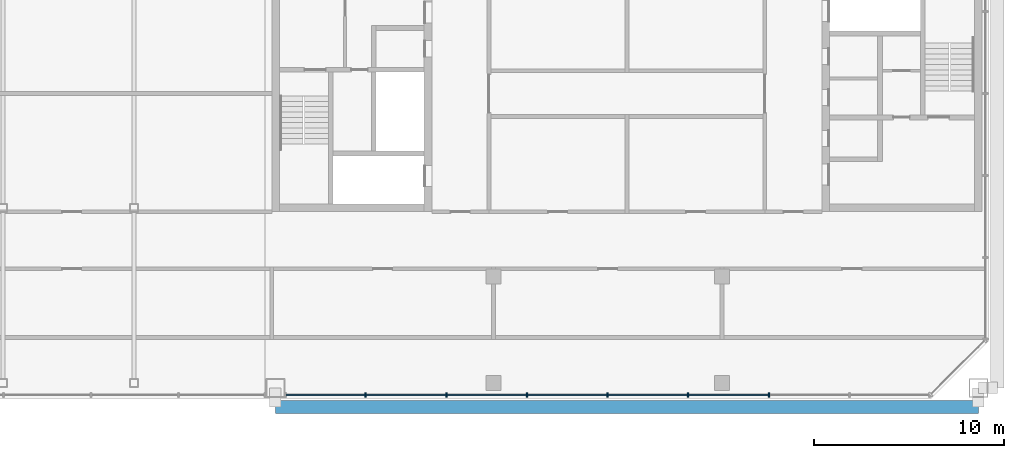
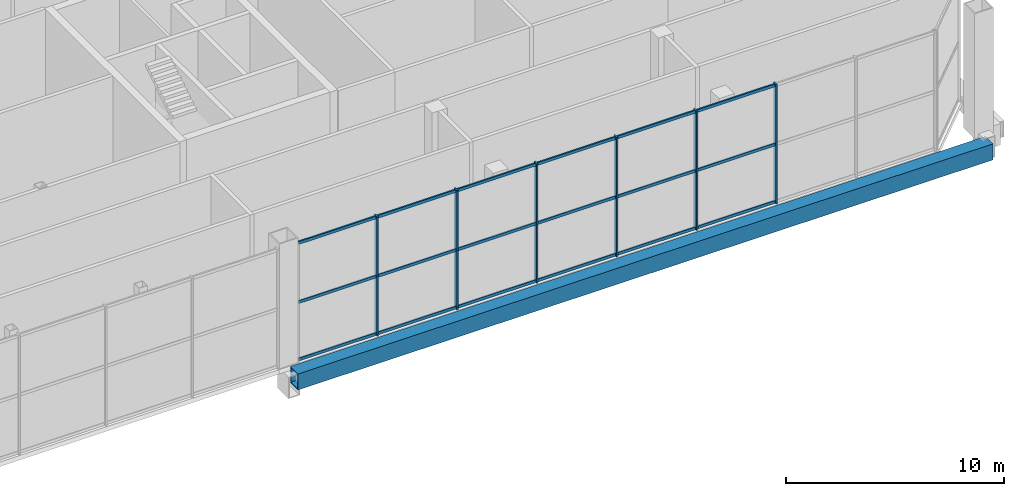
# One storey, part 10 of 27: 24 members, 1 beam, 1 element without a shape of its own.
"""IFC4 building model written with IfcOpenShell, lengths in metres."""

from ifc_helpers import new_model, si_unit, direction, frame, origin, origin_2d, place, context, subcontext, project, spatial, rectangle, hollow_rectangle, extrude, material, material_profile, profile_set, type_object, element, aggregate, save


model = new_model("IFC4")

# Units and contexts
model_context = context("Model", 3, precision=1e-05, world=origin(), true_north=direction((0.0, 1.0)))
body_context = subcontext(model_context, "Body", "Model", "MODEL_VIEW")
ifc_project = project(units=[si_unit("LENGTHUNIT", "METRE"), si_unit("AREAUNIT", "SQUARE_METRE"), si_unit("VOLUMEUNIT", "CUBIC_METRE"), si_unit("PLANEANGLEUNIT", "RADIAN"), si_unit("MASSUNIT", "GRAM", prefix="KILO")], contexts=[model_context])

# Site, building, storey
site_placement = place(None, origin())
site = spatial("IfcSite", under=ifc_project, at=site_placement, CompositionType="ELEMENT")
building_placement = place(site_placement, origin())
building = spatial("IfcBuilding", under=site, at=building_placement, Name="Tuart Gate Housing", CompositionType="ELEMENT")
storey_placement = place(building_placement, frame((0.0, 0.0, 236.89990234375)))
storey = spatial("IfcBuildingStorey", under=building, at=storey_placement, Name="L67", CompositionType="ELEMENT", Elevation=236.89990234375)

# Curtain wall, members
ifc_material_1 = material(Name="Aluminium and clear glass", Category="aluminium")
curtain_wall_type = type_object("IfcCurtainWallType", Name="Damper floor glazing", PredefinedType="USERDEFINED", material=ifc_material_1)
curtain_wall_placement = place(storey_placement, origin())
curtain_wall = element("IfcCurtainWall", 1, at=curtain_wall_placement, inside=storey, type_object=curtain_wall_type, Name="Damper floor glazing BLK-S L67", ObjectType="DAMPER FLOOR GLAZING", PredefinedType="USERDEFINED")
ifc_material_2 = material(Name="Anodised aluminium", Category="aluminium")
ifc_material_profile_1 = material_profile(ifc_material_2, rectangle(XDim=0.080078125, YDim=0.25, at=origin_2d()), Name="80x250")
ifc_profile_set_1 = profile_set([ifc_material_profile_1], Name="Anodised aluminium")
member_type_1 = type_object("IfcMemberType", Name="Mullion 80 x 250", PredefinedType="MULLION", material=ifc_profile_set_1)
member_1_placement = place(storey_placement, frame((136.284423828125, 54.179931640625, 0.0), z_axis=(0.0, 0.0, 1.0), x_axis=(1.0, 0.0, 0.0)))
member_1 = element("IfcMember", 2, at=member_1_placement, type_object=member_type_1, Name="CW5 mullion 2", PredefinedType="MULLION", context=body_context, shape_type="SweptSolid", body=[
    extrude(rectangle(XDim=0.080078125, YDim=0.25, at=origin_2d()), origin(), (0.0, 0.0, 1.0), 6.7001953125),
])
member_2_placement = place(storey_placement, frame((140.518798828125, 54.179931640625, 0.0), z_axis=(0.0, 0.0, 1.0), x_axis=(1.0, 0.0, 0.0)))
member_2 = element("IfcMember", 3, at=member_2_placement, type_object=member_type_1, Name="CW5 mullion 3", PredefinedType="MULLION", context=body_context, shape_type="SweptSolid", body=[
    extrude(rectangle(XDim=0.080078125, YDim=0.25, at=origin_2d()), origin(), (0.0, 0.0, 1.0), 6.7001953125),
])
member_3_placement = place(storey_placement, frame((144.75341796875, 54.179931640625, 0.0), z_axis=(0.0, 0.0, 1.0), x_axis=(1.0, 0.0, 0.0)))
member_3 = element("IfcMember", 4, at=member_3_placement, type_object=member_type_1, Name="CW5 mullion 4", PredefinedType="MULLION", context=body_context, shape_type="SweptSolid", body=[
    extrude(rectangle(XDim=0.080078125, YDim=0.25, at=origin_2d()), origin(), (0.0, 0.0, 1.0), 6.7001953125),
])
member_4_placement = place(storey_placement, frame((148.98779296875, 54.179931640625, 0.0), z_axis=(0.0, 0.0, 1.0), x_axis=(1.0, 0.0, 0.0)))
member_4 = element("IfcMember", 5, at=member_4_placement, type_object=member_type_1, Name="CW5 mullion 5", PredefinedType="MULLION", context=body_context, shape_type="SweptSolid", body=[
    extrude(rectangle(XDim=0.080078125, YDim=0.25, at=origin_2d()), origin(), (0.0, 0.0, 1.0), 6.7001953125),
])
member_5_placement = place(storey_placement, frame((153.22216796875, 54.179931640625, 0.0), z_axis=(0.0, 0.0, 1.0), x_axis=(1.0, 0.0, 0.0)))
member_5 = element("IfcMember", 6, at=member_5_placement, type_object=member_type_1, Name="CW5 mullion 6", PredefinedType="MULLION", context=body_context, shape_type="SweptSolid", body=[
    extrude(rectangle(XDim=0.080078125, YDim=0.25, at=origin_2d()), origin(), (0.0, 0.0, 1.0), 6.7001953125),
])
member_6_placement = place(storey_placement, frame((157.45654296875, 54.179931640625, 0.0), z_axis=(0.0, 0.0, 1.0), x_axis=(1.0, 0.0, 0.0)))
member_6 = element("IfcMember", 7, at=member_6_placement, type_object=member_type_1, Name="CW5 mullion 7", PredefinedType="MULLION", context=body_context, shape_type="SweptSolid", body=[
    extrude(rectangle(XDim=0.080078125, YDim=0.25, at=origin_2d()), origin(), (0.0, 0.0, 1.0), 6.7001953125),
])

# Beam
ifc_material_3 = material(Name="Steel Grade 350", Category="steel")
ifc_material_profile_2 = material_profile(ifc_material_3, hollow_rectangle(XDim=0.699951171875, YDim=0.89990234375, WallThickness=0.0400390625, at=origin_2d()), Name="BOX 900x700x40")
ifc_profile_set_2 = profile_set([ifc_material_profile_2], Name="Steel Grade 350")
beam_type = type_object("IfcBeamType", Name="Tie beam BOX 900x700x40", PredefinedType="BEAM", material=ifc_profile_set_2)
beam_placement = place(storey_placement, frame((131.550048828125, 53.550048828125, -0.39990234375), z_axis=(1.0, 0.0, 0.0), x_axis=(0.0, 1.0, 0.0)))
element("IfcBeam", 8, at=beam_placement, inside=storey, type_object=beam_type, Name="Mega tie beam B node 8 south L67", PredefinedType="BEAM", context=body_context, shape_type="SweptSolid", body=[
    extrude(hollow_rectangle(XDim=0.699951171875, YDim=0.89990234375, WallThickness=0.0400390625, at=origin_2d()), origin(), (0.0, 0.0, 1.0), 36.89990234375),
])

# Member
ifc_material_4 = material(Name="Anodised aluminium", Category="aluminium")
ifc_material_profile_3 = material_profile(ifc_material_4, rectangle(XDim=0.080078125, YDim=0.159912109375, at=origin_2d()), Name="80x160")
ifc_profile_set_3 = profile_set([ifc_material_profile_3], Name="Anodised aluminium")
member_type_2 = type_object("IfcMemberType", Name="Transom 80 x 160", PredefinedType="USERDEFINED", material=ifc_profile_set_3)
member_7_placement = place(storey_placement, frame((132.1298828125, 54.179931640625, 0.080078125), z_axis=(1.0, 0.0, 0.0), x_axis=(0.0, 1.0, 0.0)))
member_7 = element("IfcMember", 9, at=member_7_placement, type_object=member_type_2, Name="CW5 transom 1.1", ObjectType="TRANSOM", PredefinedType="USERDEFINED", context=body_context, shape_type="SweptSolid", body=[
    extrude(rectangle(XDim=0.080078125, YDim=0.159912109375, at=origin_2d()), origin(), (0.0, 0.0, 1.0), 4.114501953125),
])

member_8_placement = place(storey_placement, frame((132.1298828125, 54.179931640625, 3.300048828125), z_axis=(1.0, 0.0, 0.0), x_axis=(0.0, 1.0, 0.0)))
member_8 = element("IfcMember", 10, at=member_8_placement, type_object=member_type_2, Name="CW5 transom 1.2", ObjectType="TRANSOM", PredefinedType="USERDEFINED", context=body_context, shape_type="SweptSolid", body=[
    extrude(rectangle(XDim=0.080078125, YDim=0.159912109375, at=origin_2d()), origin(), (0.0, 0.0, 1.0), 4.114501953125),
])

member_9_placement = place(storey_placement, frame((132.1298828125, 54.179931640625, 6.6201171875), z_axis=(1.0, 0.0, 0.0), x_axis=(0.0, 1.0, 0.0)))
member_9 = element("IfcMember", 11, at=member_9_placement, type_object=member_type_2, Name="CW5 transom 1.3", ObjectType="TRANSOM", PredefinedType="USERDEFINED", context=body_context, shape_type="SweptSolid", body=[
    extrude(rectangle(XDim=0.080078125, YDim=0.159912109375, at=origin_2d()), origin(), (0.0, 0.0, 1.0), 4.114501953125),
])

member_10_placement = place(storey_placement, frame((136.324462890625, 54.179931640625, 0.080078125), z_axis=(1.0, 0.0, 0.0), x_axis=(0.0, 1.0, 0.0)))
member_10 = element("IfcMember", 12, at=member_10_placement, type_object=member_type_2, Name="CW5 transom 2.1", ObjectType="TRANSOM", PredefinedType="USERDEFINED", context=body_context, shape_type="SweptSolid", body=[
    extrude(rectangle(XDim=0.080078125, YDim=0.159912109375, at=origin_2d()), origin(), (0.0, 0.0, 1.0), 4.154296875),
])

member_11_placement = place(storey_placement, frame((136.324462890625, 54.179931640625, 3.300048828125), z_axis=(1.0, 0.0, 0.0), x_axis=(0.0, 1.0, 0.0)))
member_11 = element("IfcMember", 13, at=member_11_placement, type_object=member_type_2, Name="CW5 transom 2.2", ObjectType="TRANSOM", PredefinedType="USERDEFINED", context=body_context, shape_type="SweptSolid", body=[
    extrude(rectangle(XDim=0.080078125, YDim=0.159912109375, at=origin_2d()), origin(), (0.0, 0.0, 1.0), 4.154296875),
])

member_12_placement = place(storey_placement, frame((136.324462890625, 54.179931640625, 6.6201171875), z_axis=(1.0, 0.0, 0.0), x_axis=(0.0, 1.0, 0.0)))
member_12 = element("IfcMember", 14, at=member_12_placement, type_object=member_type_2, Name="CW5 transom 2.3", ObjectType="TRANSOM", PredefinedType="USERDEFINED", context=body_context, shape_type="SweptSolid", body=[
    extrude(rectangle(XDim=0.080078125, YDim=0.159912109375, at=origin_2d()), origin(), (0.0, 0.0, 1.0), 4.154296875),
])

member_13_placement = place(storey_placement, frame((140.558837890625, 54.179931640625, 0.080078125), z_axis=(1.0, 0.0, 0.0), x_axis=(0.0, 1.0, 0.0)))
member_13 = element("IfcMember", 15, at=member_13_placement, type_object=member_type_2, Name="CW5 transom 3.1", ObjectType="TRANSOM", PredefinedType="USERDEFINED", context=body_context, shape_type="SweptSolid", body=[
    extrude(rectangle(XDim=0.080078125, YDim=0.159912109375, at=origin_2d()), origin(), (0.0, 0.0, 1.0), 4.154541015625),
])

member_14_placement = place(storey_placement, frame((140.558837890625, 54.179931640625, 3.300048828125), z_axis=(1.0, 0.0, 0.0), x_axis=(0.0, 1.0, 0.0)))
member_14 = element("IfcMember", 16, at=member_14_placement, type_object=member_type_2, Name="CW5 transom 3.2", ObjectType="TRANSOM", PredefinedType="USERDEFINED", context=body_context, shape_type="SweptSolid", body=[
    extrude(rectangle(XDim=0.080078125, YDim=0.159912109375, at=origin_2d()), origin(), (0.0, 0.0, 1.0), 4.154541015625),
])

member_15_placement = place(storey_placement, frame((140.558837890625, 54.179931640625, 6.6201171875), z_axis=(1.0, 0.0, 0.0), x_axis=(0.0, 1.0, 0.0)))
member_15 = element("IfcMember", 17, at=member_15_placement, type_object=member_type_2, Name="CW5 transom 3.3", ObjectType="TRANSOM", PredefinedType="USERDEFINED", context=body_context, shape_type="SweptSolid", body=[
    extrude(rectangle(XDim=0.080078125, YDim=0.159912109375, at=origin_2d()), origin(), (0.0, 0.0, 1.0), 4.154541015625),
])

member_16_placement = place(storey_placement, frame((144.793212890625, 54.179931640625, 0.080078125), z_axis=(1.0, 0.0, 0.0), x_axis=(0.0, 1.0, 0.0)))
member_16 = element("IfcMember", 18, at=member_16_placement, type_object=member_type_2, Name="CW5 transom 4.1", ObjectType="TRANSOM", PredefinedType="USERDEFINED", context=body_context, shape_type="SweptSolid", body=[
    extrude(rectangle(XDim=0.080078125, YDim=0.159912109375, at=origin_2d()), origin(), (0.0, 0.0, 1.0), 4.154541015625),
])

member_17_placement = place(storey_placement, frame((144.793212890625, 54.179931640625, 3.300048828125), z_axis=(1.0, 0.0, 0.0), x_axis=(0.0, 1.0, 0.0)))
member_17 = element("IfcMember", 19, at=member_17_placement, type_object=member_type_2, Name="CW5 transom 4.2", ObjectType="TRANSOM", PredefinedType="USERDEFINED", context=body_context, shape_type="SweptSolid", body=[
    extrude(rectangle(XDim=0.080078125, YDim=0.159912109375, at=origin_2d()), origin(), (0.0, 0.0, 1.0), 4.154541015625),
])

member_18_placement = place(storey_placement, frame((144.793212890625, 54.179931640625, 6.6201171875), z_axis=(1.0, 0.0, 0.0), x_axis=(0.0, 1.0, 0.0)))
member_18 = element("IfcMember", 20, at=member_18_placement, type_object=member_type_2, Name="CW5 transom 4.3", ObjectType="TRANSOM", PredefinedType="USERDEFINED", context=body_context, shape_type="SweptSolid", body=[
    extrude(rectangle(XDim=0.080078125, YDim=0.159912109375, at=origin_2d()), origin(), (0.0, 0.0, 1.0), 4.154541015625),
])

member_19_placement = place(storey_placement, frame((149.02783203125, 54.179931640625, 0.080078125), z_axis=(1.0, 0.0, 0.0), x_axis=(0.0, 1.0, 0.0)))
member_19 = element("IfcMember", 21, at=member_19_placement, type_object=member_type_2, Name="CW5 transom 5.1", ObjectType="TRANSOM", PredefinedType="USERDEFINED", context=body_context, shape_type="SweptSolid", body=[
    extrude(rectangle(XDim=0.080078125, YDim=0.159912109375, at=origin_2d()), origin(), (0.0, 0.0, 1.0), 4.154296875),
])

member_20_placement = place(storey_placement, frame((149.02783203125, 54.179931640625, 3.300048828125), z_axis=(1.0, 0.0, 0.0), x_axis=(0.0, 1.0, 0.0)))
member_20 = element("IfcMember", 22, at=member_20_placement, type_object=member_type_2, Name="CW5 transom 5.2", ObjectType="TRANSOM", PredefinedType="USERDEFINED", context=body_context, shape_type="SweptSolid", body=[
    extrude(rectangle(XDim=0.080078125, YDim=0.159912109375, at=origin_2d()), origin(), (0.0, 0.0, 1.0), 4.154296875),
])

member_21_placement = place(storey_placement, frame((149.02783203125, 54.179931640625, 6.6201171875), z_axis=(1.0, 0.0, 0.0), x_axis=(0.0, 1.0, 0.0)))
member_21 = element("IfcMember", 23, at=member_21_placement, type_object=member_type_2, Name="CW5 transom 5.3", ObjectType="TRANSOM", PredefinedType="USERDEFINED", context=body_context, shape_type="SweptSolid", body=[
    extrude(rectangle(XDim=0.080078125, YDim=0.159912109375, at=origin_2d()), origin(), (0.0, 0.0, 1.0), 4.154296875),
])

member_22_placement = place(storey_placement, frame((153.26220703125, 54.179931640625, 0.080078125), z_axis=(1.0, 0.0, 0.0), x_axis=(0.0, 1.0, 0.0)))
member_22 = element("IfcMember", 24, at=member_22_placement, type_object=member_type_2, Name="CW5 transom 6.1", ObjectType="TRANSOM", PredefinedType="USERDEFINED", context=body_context, shape_type="SweptSolid", body=[
    extrude(rectangle(XDim=0.080078125, YDim=0.159912109375, at=origin_2d()), origin(), (0.0, 0.0, 1.0), 4.154296875),
])

member_23_placement = place(storey_placement, frame((153.26220703125, 54.179931640625, 3.300048828125), z_axis=(1.0, 0.0, 0.0), x_axis=(0.0, 1.0, 0.0)))
member_23 = element("IfcMember", 25, at=member_23_placement, type_object=member_type_2, Name="CW5 transom 6.2", ObjectType="TRANSOM", PredefinedType="USERDEFINED", context=body_context, shape_type="SweptSolid", body=[
    extrude(rectangle(XDim=0.080078125, YDim=0.159912109375, at=origin_2d()), origin(), (0.0, 0.0, 1.0), 4.154296875),
])

member_24_placement = place(storey_placement, frame((153.26220703125, 54.179931640625, 6.6201171875), z_axis=(1.0, 0.0, 0.0), x_axis=(0.0, 1.0, 0.0)))
member_24 = element("IfcMember", 26, at=member_24_placement, type_object=member_type_2, Name="CW5 transom 6.3", ObjectType="TRANSOM", PredefinedType="USERDEFINED", context=body_context, shape_type="SweptSolid", body=[
    extrude(rectangle(XDim=0.080078125, YDim=0.159912109375, at=origin_2d()), origin(), (0.0, 0.0, 1.0), 4.154296875),
])

aggregate(curtain_wall, [member_1, member_2, member_3, member_4, member_5, member_6, member_7, member_8, member_9, member_10, member_11, member_12, member_13, member_14, member_15, member_16, member_17, member_18, member_19, member_20, member_21, member_22, member_23, member_24])

save(model, "model.ifc")
